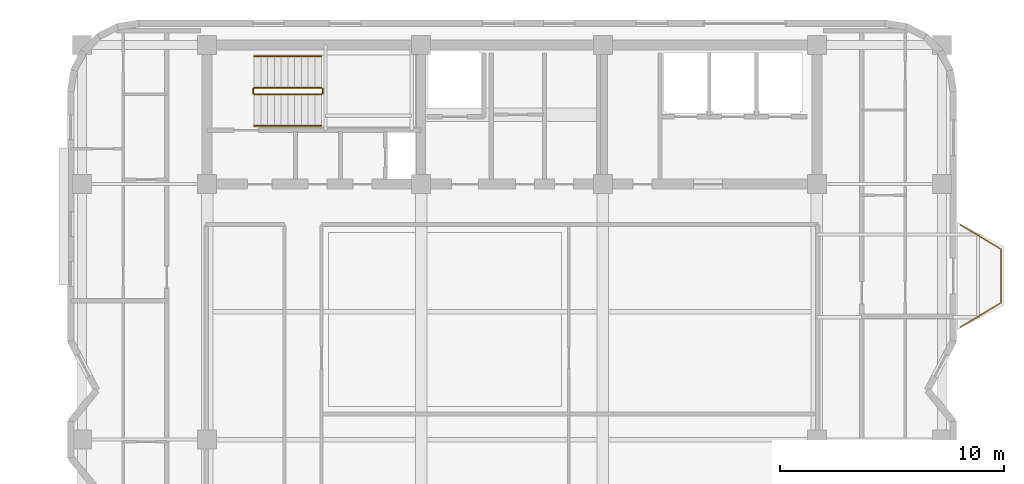
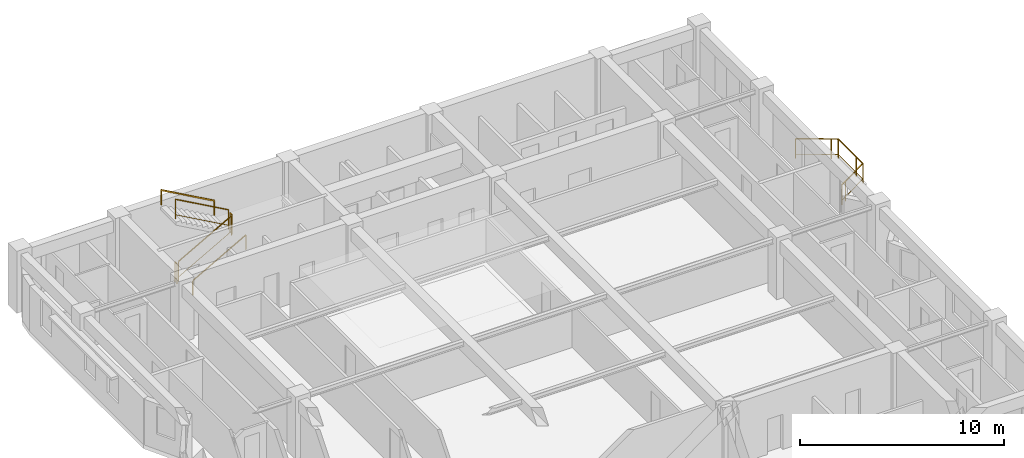
# One storey, part 12 of 12: 7 railings.
"""IFC4 building model written with IfcOpenShell, lengths in metres."""

from ifc_helpers import new_model, si_unit, direction, frame, origin, origin_2d, place, context, subcontext, project, spatial, rectangle, extrude, material, type_object, element, save


model = new_model("IFC4")

# Units and contexts
model_context = context("Model", 3, precision=1e-05, world=origin(), true_north=direction((0.0, 1.0)))
body_context = subcontext(model_context, "Body", "Model", "MODEL_VIEW")
ifc_project = project(units=[si_unit("LENGTHUNIT", "METRE"), si_unit("AREAUNIT", "SQUARE_METRE"), si_unit("VOLUMEUNIT", "CUBIC_METRE"), si_unit("PLANEANGLEUNIT", "RADIAN"), si_unit("MASSUNIT", "GRAM", prefix="KILO")], contexts=[model_context])

# Site, building, storey
site_placement = place(None, origin())
site = spatial("IfcSite", under=ifc_project, at=site_placement, CompositionType="ELEMENT")
building_placement = place(site_placement, origin())
building = spatial("IfcBuilding", under=site, at=building_placement, Name="Svetorya Sky Lyceum", CompositionType="ELEMENT")
storey_placement = place(building_placement, frame((0.0, 0.0, 236.89990234375)))
storey = spatial("IfcBuildingStorey", under=building, at=storey_placement, Name="L59", CompositionType="ELEMENT", Elevation=236.89990234375)

# Railings
ifc_material_1 = material(Name="Laminated safety glass and stainless AISI 316", Category="glass")
railing_type_1 = type_object("IfcRailingType", Name="RL-BAL-1200", PredefinedType="BALUSTRADE", material=ifc_material_1)
railing_1_placement = place(storey_placement, frame((59.2099609375, 37.780029296875, 0.0)))
element("IfcRailing", 1, at=railing_1_placement, inside=storey, type_object=railing_type_1, Name="L59 Balcony Balustrade BAL-E1", PredefinedType="BALUSTRADE", context=body_context, shape_type="SweptSolid", body=[
    extrude(rectangle(XDim=0.048095703125, YDim=0.048095703125, at=origin_2d()), frame((0.0, 0.0, 1.17578125), z_axis=(0.857482663744, -0.514512858321, 0.0), x_axis=(0.514512858321, 0.857482663744, 0.0)), (0.0, 0.0, 1.0), 2.09912109375),
    extrude(rectangle(XDim=0.02392578125, YDim=0.02392578125, at=origin_2d()), frame((0.0, 0.0, 0.25), z_axis=(0.857482663744, -0.514512858321, 0.0), x_axis=(0.514512858321, 0.857482663744, 0.0)), (0.0, 0.0, 1.0), 2.09912109375),
    extrude(rectangle(XDim=0.048095703125, YDim=0.048095703125, at=origin_2d()), frame((1.800048828125, -1.080078125, 1.17578125), z_axis=(0.0, -1.0, 0.0), x_axis=(1.0, 0.0, 0.0)), (0.0, 0.0, 1.0), 2.39990234375),
    extrude(rectangle(XDim=0.02392578125, YDim=0.02392578125, at=origin_2d()), frame((1.800048828125, -1.080078125, 0.25), z_axis=(0.0, -1.0, 0.0), x_axis=(1.0, 0.0, 0.0)), (0.0, 0.0, 1.0), 2.39990234375),
    extrude(rectangle(XDim=0.048095703125, YDim=0.048095703125, at=origin_2d()), frame((1.800048828125, -3.47998046875, 1.17578125), z_axis=(-0.857482663744, -0.514512858321, 0.0), x_axis=(0.514512858321, -0.857482663744, 0.0)), (0.0, 0.0, 1.0), 2.09912109375),
    extrude(rectangle(XDim=0.02392578125, YDim=0.02392578125, at=origin_2d()), frame((1.800048828125, -3.47998046875, 0.25), z_axis=(-0.857482663744, -0.514512858321, 0.0), x_axis=(0.514512858321, -0.857482663744, 0.0)), (0.0, 0.0, 1.0), 2.09912109375),
    extrude(rectangle(XDim=0.0419921875, YDim=0.0419921875, at=origin_2d()), origin(), (0.0, 0.0, 1.0), 1.15185546875),
    extrude(rectangle(XDim=0.0419921875, YDim=0.0419921875, at=origin_2d()), frame((1.50048828125, -0.900390625, 0.0)), (0.0, 0.0, 1.0), 1.15185546875),
    extrude(rectangle(XDim=0.0419921875, YDim=0.0419921875, at=origin_2d()), frame((1.800048828125, -1.080078125, 0.0)), (0.0, 0.0, 1.0), 1.15185546875),
    extrude(rectangle(XDim=0.0419921875, YDim=0.0419921875, at=origin_2d()), frame((1.800048828125, -2.830078125, 0.0)), (0.0, 0.0, 1.0), 1.15185546875),
    extrude(rectangle(XDim=0.0419921875, YDim=0.0419921875, at=origin_2d()), frame((1.800048828125, -3.47998046875, 0.0)), (0.0, 0.0, 1.0), 1.15185546875),
    extrude(rectangle(XDim=0.0419921875, YDim=0.0419921875, at=origin_2d()), frame((0.299560546875, -4.38037109375, 0.0)), (0.0, 0.0, 1.0), 1.15185546875),
    extrude(rectangle(XDim=0.0419921875, YDim=0.0419921875, at=origin_2d()), frame((0.0, -4.56005859375, 0.0)), (0.0, 0.0, 1.0), 1.15185546875),
])
ifc_material_2 = material(Name="Painted galvanized stair well guard")
railing_type_2 = type_object("IfcRailingType", Name="RL-STR-GUARD-1200", PredefinedType="GUARDRAIL", material=ifc_material_2)
railing_2_placement = place(storey_placement, frame((27.699951171875, 43.60009765625, 0.168212890625)))
element("IfcRailing", 2, at=railing_2_placement, inside=storey, type_object=railing_type_2, Name="L59 ST-N stair guard 1", PredefinedType="GUARDRAIL", context=body_context, shape_type="SweptSolid", body=[
    extrude(rectangle(XDim=0.048095703125, YDim=0.048095703125, at=origin_2d()), frame((0.0, 0.0, 1.17578125), z_axis=(0.872272294576, 0.0, 0.489020494575), x_axis=(0.0, 1.0, 0.0)), (0.0, 0.0, 1.0), 3.439208984375),
    extrude(rectangle(XDim=0.02392578125, YDim=0.02392578125, at=origin_2d()), frame((0.0, 0.0, 0.25), z_axis=(0.872272294576, 0.0, 0.489020494575), x_axis=(0.0, 1.0, 0.0)), (0.0, 0.0, 1.0), 3.439208984375),
    extrude(rectangle(XDim=0.0419921875, YDim=0.0419921875, at=origin_2d()), origin(), (0.0, 0.0, 1.0), 1.15185546875),
    extrude(rectangle(XDim=0.0419921875, YDim=0.0419921875, at=origin_2d()), frame((3.0, 0.0, 1.681884765625)), (0.0, 0.0, 1.0), 1.15185546875),
])
railing_3_placement = place(storey_placement, frame((30.75, 43.64990234375, 1.85009765625)))
element("IfcRailing", 3, at=railing_3_placement, inside=storey, type_object=railing_type_2, Name="L59 ST-N stair guard 2", PredefinedType="GUARDRAIL", context=body_context, shape_type="SweptSolid", body=[
    extrude(rectangle(XDim=0.048095703125, YDim=0.048095703125, at=origin_2d()), frame((0.0, 0.0, 1.17578125), z_axis=(0.0, 1.0, 0.0), x_axis=(-1.0, 0.0, 0.0)), (0.0, 0.0, 1.0), 0.2001953125),
    extrude(rectangle(XDim=0.02392578125, YDim=0.02392578125, at=origin_2d()), frame((0.0, 0.0, 0.25), z_axis=(0.0, 1.0, 0.0), x_axis=(-1.0, 0.0, 0.0)), (0.0, 0.0, 1.0), 0.2001953125),
    extrude(rectangle(XDim=0.0419921875, YDim=0.0419921875, at=origin_2d()), origin(), (0.0, 0.0, 1.0), 1.15185546875),
    extrude(rectangle(XDim=0.0419921875, YDim=0.0419921875, at=origin_2d()), frame((0.0, 0.2001953125, 0.0)), (0.0, 0.0, 1.0), 1.15185546875),
])
railing_4_placement = place(storey_placement, frame((30.699951171875, 43.89990234375, 2.018310546875)))
element("IfcRailing", 4, at=railing_4_placement, inside=storey, type_object=railing_type_2, Name="L59 ST-N stair guard 3", PredefinedType="GUARDRAIL", context=body_context, shape_type="SweptSolid", body=[
    extrude(rectangle(XDim=0.048095703125, YDim=0.048095703125, at=origin_2d()), frame((0.0, 0.0, 1.17578125), z_axis=(-0.872272294576, 0.0, 0.489020494575), x_axis=(0.0, -1.0, 0.0)), (0.0, 0.0, 1.0), 3.439208984375),
    extrude(rectangle(XDim=0.02392578125, YDim=0.02392578125, at=origin_2d()), frame((0.0, 0.0, 0.25), z_axis=(-0.872272294576, 0.0, 0.489020494575), x_axis=(0.0, -1.0, 0.0)), (0.0, 0.0, 1.0), 3.439208984375),
    extrude(rectangle(XDim=0.0419921875, YDim=0.0419921875, at=origin_2d()), origin(), (0.0, 0.0, 1.0), 1.15185546875),
    extrude(rectangle(XDim=0.0419921875, YDim=0.0419921875, at=origin_2d()), frame((-3.0, 0.0, 1.681884765625)), (0.0, 0.0, 1.0), 1.15185546875),
])
railing_5_placement = place(storey_placement, frame((27.64990234375, 43.64990234375, 0.0)))
element("IfcRailing", 5, at=railing_5_placement, inside=storey, type_object=railing_type_2, Name="L59 ST-N stair guard 4", PredefinedType="GUARDRAIL", context=body_context, shape_type="SweptSolid", body=[
    extrude(rectangle(XDim=0.048095703125, YDim=0.048095703125, at=origin_2d()), frame((0.0, 0.0, 1.17578125), z_axis=(0.0, 1.0, 0.0), x_axis=(-1.0, 0.0, 0.0)), (0.0, 0.0, 1.0), 0.2001953125),
    extrude(rectangle(XDim=0.02392578125, YDim=0.02392578125, at=origin_2d()), frame((0.0, 0.0, 0.25), z_axis=(0.0, 1.0, 0.0), x_axis=(-1.0, 0.0, 0.0)), (0.0, 0.0, 1.0), 0.2001953125),
    extrude(rectangle(XDim=0.0419921875, YDim=0.0419921875, at=origin_2d()), origin(), (0.0, 0.0, 1.0), 1.15185546875),
    extrude(rectangle(XDim=0.0419921875, YDim=0.0419921875, at=origin_2d()), frame((0.0, 0.2001953125, 0.0)), (0.0, 0.0, 1.0), 1.15185546875),
])
ifc_material_3 = material(Name="Brushed stainless AISI 304 stair handrail")
railing_type_3 = type_object("IfcRailingType", Name="RL-STR-HAND-920", PredefinedType="HANDRAIL", material=ifc_material_3)
railing_6_placement = place(storey_placement, frame((27.699951171875, 42.199951171875, 0.168212890625)))
element("IfcRailing", 6, at=railing_6_placement, inside=storey, type_object=railing_type_3, Name="L59 ST-N stair handrail 1", PredefinedType="HANDRAIL", context=body_context, shape_type="SweptSolid", body=[
    extrude(rectangle(XDim=0.048095703125, YDim=0.048095703125, at=origin_2d()), frame((0.0, 0.0, 0.8759765625), z_axis=(0.872272294576, 0.0, 0.489020494575), x_axis=(0.0, 1.0, 0.0)), (0.0, 0.0, 1.0), 3.439208984375),
    extrude(rectangle(XDim=0.0419921875, YDim=0.0419921875, at=origin_2d()), origin(), (0.0, 0.0, 1.0), 0.851806640625),
    extrude(rectangle(XDim=0.0419921875, YDim=0.0419921875, at=origin_2d()), frame((3.0, 0.0, 1.681884765625)), (0.0, 0.0, 1.0), 0.851806640625),
])
railing_7_placement = place(storey_placement, frame((30.699951171875, 45.300048828125, 2.018310546875)))
element("IfcRailing", 7, at=railing_7_placement, inside=storey, type_object=railing_type_3, Name="L59 ST-N stair handrail 2", PredefinedType="HANDRAIL", context=body_context, shape_type="SweptSolid", body=[
    extrude(rectangle(XDim=0.048095703125, YDim=0.048095703125, at=origin_2d()), frame((0.0, 0.0, 0.8759765625), z_axis=(-0.872272294576, 0.0, 0.489020494575), x_axis=(0.0, -1.0, 0.0)), (0.0, 0.0, 1.0), 3.439208984375),
    extrude(rectangle(XDim=0.0419921875, YDim=0.0419921875, at=origin_2d()), origin(), (0.0, 0.0, 1.0), 0.851806640625),
    extrude(rectangle(XDim=0.0419921875, YDim=0.0419921875, at=origin_2d()), frame((-3.0, 0.0, 1.681884765625)), (0.0, 0.0, 1.0), 0.851806640625),
])

save(model, "model.ifc")
